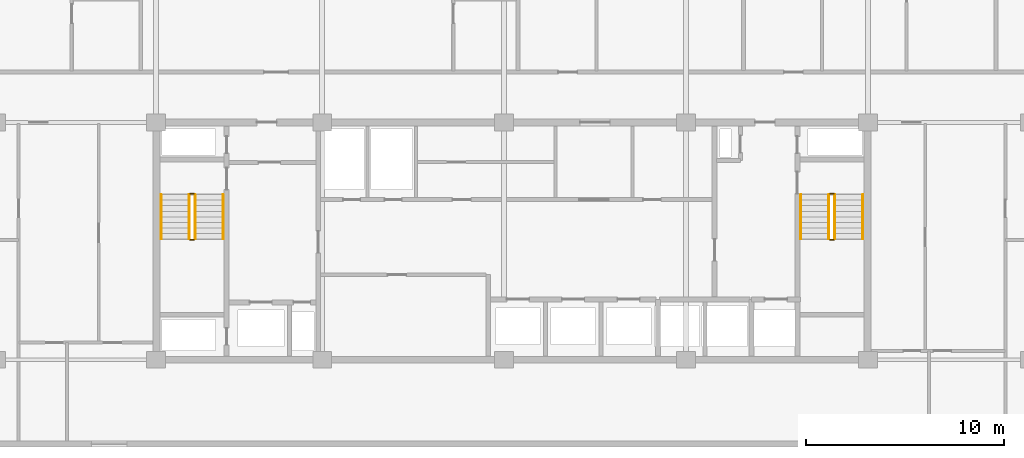
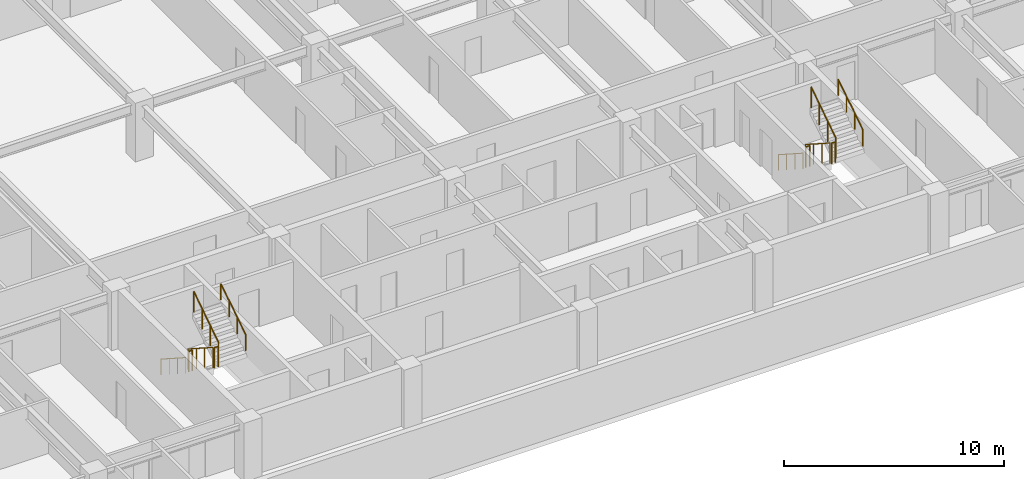
# One storey, part 20 of 21: 12 railings.
"""IFC4 building model written with IfcOpenShell, lengths in metres."""

from ifc_helpers import new_model, si_unit, direction, frame, origin, origin_2d, place, context, subcontext, project, spatial, circle, extrude, material, type_object, element, save


model = new_model("IFC4")

# Units and contexts
model_context = context("Model", 3, precision=1e-05, world=origin(), true_north=direction((0.0, 1.0)))
body_context = subcontext(model_context, "Body", "Model", "MODEL_VIEW")
ifc_project = project(units=[si_unit("LENGTHUNIT", "METRE"), si_unit("AREAUNIT", "SQUARE_METRE"), si_unit("VOLUMEUNIT", "CUBIC_METRE"), si_unit("PLANEANGLEUNIT", "RADIAN"), si_unit("MASSUNIT", "GRAM", prefix="KILO")], contexts=[model_context])

# Site, building, storey
site_placement = place(None, origin())
site = spatial("IfcSite", under=ifc_project, at=site_placement, CompositionType="ELEMENT")
building_placement = place(site_placement, origin())
building = spatial("IfcBuilding", under=site, at=building_placement, Name="Korimba Cascade Residences", CompositionType="ELEMENT")
storey_placement = place(building_placement, frame((0.0, 0.0, 113.300048828125)))
storey = spatial("IfcBuildingStorey", under=building, at=storey_placement, Name="L32", CompositionType="ELEMENT", Elevation=113.300048828125)

# Railings
ifc_material_1 = material(Name="Painted Steel Stairwell Guardrail", Category="steel")
railing_type_1 = type_object("IfcRailingType", Name="RLG-ST-GD1150", PredefinedType="GUARDRAIL", material=ifc_material_1)
railing_1_placement = place(storey_placement, frame((77.77001953125, 63.550048828125, 0.180419921875)))
element("IfcRailing", 1, at=railing_1_placement, inside=storey, type_object=railing_type_1, Name="L32 ST-W1 stair guard 1", PredefinedType="GUARDRAIL", context=body_context, shape_type="SweptSolid", body=[
    extrude(circle(Radius=0.02392578125, at=origin_2d()), frame((0.0, 0.0, 1.1259765625), z_axis=(0.0, -0.840394893359, 0.541974559565), x_axis=(1.0, 0.0, 0.0)), (0.0, 0.0, 1.0), 2.665283203125),
    extrude(circle(Radius=0.02099609375, at=origin_2d()), origin(), (0.0, 0.0, 1.0), 1.101806640625),
    extrude(circle(Radius=0.02099609375, at=origin_2d()), frame((0.0, -0.74658203125, 0.4814453125)), (0.0, 0.0, 1.0), 1.101806640625),
    extrude(circle(Radius=0.02099609375, at=origin_2d()), frame((0.0, -1.493408203125, 0.963134765625)), (0.0, 0.0, 1.0), 1.101806640625),
    extrude(circle(Radius=0.02099609375, at=origin_2d()), frame((0.0, -2.239990234375, 1.444580078125)), (0.0, 0.0, 1.0), 1.101806640625),
])
railing_2_placement = place(storey_placement, frame((77.820068359375, 61.260009765625, 1.625)))
element("IfcRailing", 2, at=railing_2_placement, inside=storey, type_object=railing_type_1, Name="L32 ST-W1 stair guard 2", PredefinedType="GUARDRAIL", context=body_context, shape_type="SweptSolid", body=[
    extrude(circle(Radius=0.02392578125, at=origin_2d()), frame((0.0, 0.0, 1.1259765625), z_axis=(1.0, 0.0, 0.0), x_axis=(0.0, 1.0, 0.0)), (0.0, 0.0, 1.0), 0.199951171875),
    extrude(circle(Radius=0.02099609375, at=origin_2d()), origin(), (0.0, 0.0, 1.0), 1.101806640625),
    extrude(circle(Radius=0.02099609375, at=origin_2d()), frame((0.199951171875, 0.0, 0.0)), (0.0, 0.0, 1.0), 1.101806640625),
])
railing_3_placement = place(storey_placement, frame((78.070068359375, 61.31005859375, 1.805419921875)))
element("IfcRailing", 3, at=railing_3_placement, inside=storey, type_object=railing_type_1, Name="L32 ST-W1 stair guard 3", PredefinedType="GUARDRAIL", context=body_context, shape_type="SweptSolid", body=[
    extrude(circle(Radius=0.02392578125, at=origin_2d()), frame((0.0, 0.0, 1.1259765625), z_axis=(0.0, 0.840394893359, 0.541974559565), x_axis=(-1.0, 0.0, 0.0)), (0.0, 0.0, 1.0), 2.665283203125),
    extrude(circle(Radius=0.02099609375, at=origin_2d()), origin(), (0.0, 0.0, 1.0), 1.101806640625),
    extrude(circle(Radius=0.02099609375, at=origin_2d()), frame((0.0, 0.74658203125, 0.4814453125)), (0.0, 0.0, 1.0), 1.101806640625),
    extrude(circle(Radius=0.02099609375, at=origin_2d()), frame((0.0, 1.493408203125, 0.963134765625)), (0.0, 0.0, 1.0), 1.101806640625),
    extrude(circle(Radius=0.02099609375, at=origin_2d()), frame((0.0, 2.239990234375, 1.444580078125)), (0.0, 0.0, 1.0), 1.101806640625),
])
railing_4_placement = place(storey_placement, frame((77.820068359375, 63.60009765625, 0.0)))
element("IfcRailing", 4, at=railing_4_placement, inside=storey, type_object=railing_type_1, Name="L32 ST-W1 stair guard 4", PredefinedType="GUARDRAIL", context=body_context, shape_type="SweptSolid", body=[
    extrude(circle(Radius=0.02392578125, at=origin_2d()), frame((0.0, 0.0, 1.1259765625), z_axis=(1.0, 0.0, 0.0), x_axis=(0.0, 1.0, 0.0)), (0.0, 0.0, 1.0), 0.199951171875),
    extrude(circle(Radius=0.02099609375, at=origin_2d()), origin(), (0.0, 0.0, 1.0), 1.101806640625),
    extrude(circle(Radius=0.02099609375, at=origin_2d()), frame((0.199951171875, 0.0, 0.0)), (0.0, 0.0, 1.0), 1.101806640625),
])
railing_5_placement = place(storey_placement, frame((110.1298828125, 63.550048828125, 0.180419921875)))
element("IfcRailing", 5, at=railing_5_placement, inside=storey, type_object=railing_type_1, Name="L32 ST-W2 stair guard 1", PredefinedType="GUARDRAIL", context=body_context, shape_type="SweptSolid", body=[
    extrude(circle(Radius=0.02392578125, at=origin_2d()), frame((0.0, 0.0, 1.1259765625), z_axis=(0.0, -0.840394893359, 0.541974559565), x_axis=(1.0, 0.0, 0.0)), (0.0, 0.0, 1.0), 2.665283203125),
    extrude(circle(Radius=0.02099609375, at=origin_2d()), origin(), (0.0, 0.0, 1.0), 1.101806640625),
    extrude(circle(Radius=0.02099609375, at=origin_2d()), frame((0.0, -0.74658203125, 0.4814453125)), (0.0, 0.0, 1.0), 1.101806640625),
    extrude(circle(Radius=0.02099609375, at=origin_2d()), frame((0.0, -1.493408203125, 0.963134765625)), (0.0, 0.0, 1.0), 1.101806640625),
    extrude(circle(Radius=0.02099609375, at=origin_2d()), frame((0.0, -2.239990234375, 1.444580078125)), (0.0, 0.0, 1.0), 1.101806640625),
])
railing_6_placement = place(storey_placement, frame((110.179931640625, 61.260009765625, 1.625)))
element("IfcRailing", 6, at=railing_6_placement, inside=storey, type_object=railing_type_1, Name="L32 ST-W2 stair guard 2", PredefinedType="GUARDRAIL", context=body_context, shape_type="SweptSolid", body=[
    extrude(circle(Radius=0.02392578125, at=origin_2d()), frame((0.0, 0.0, 1.1259765625), z_axis=(1.0, 0.0, 0.0), x_axis=(0.0, 1.0, 0.0)), (0.0, 0.0, 1.0), 0.199951171875),
    extrude(circle(Radius=0.02099609375, at=origin_2d()), origin(), (0.0, 0.0, 1.0), 1.101806640625),
    extrude(circle(Radius=0.02099609375, at=origin_2d()), frame((0.199951171875, 0.0, 0.0)), (0.0, 0.0, 1.0), 1.101806640625),
])
railing_7_placement = place(storey_placement, frame((110.429931640625, 61.31005859375, 1.805419921875)))
element("IfcRailing", 7, at=railing_7_placement, inside=storey, type_object=railing_type_1, Name="L32 ST-W2 stair guard 3", PredefinedType="GUARDRAIL", context=body_context, shape_type="SweptSolid", body=[
    extrude(circle(Radius=0.02392578125, at=origin_2d()), frame((0.0, 0.0, 1.1259765625), z_axis=(0.0, 0.840394893359, 0.541974559565), x_axis=(-1.0, 0.0, 0.0)), (0.0, 0.0, 1.0), 2.665283203125),
    extrude(circle(Radius=0.02099609375, at=origin_2d()), origin(), (0.0, 0.0, 1.0), 1.101806640625),
    extrude(circle(Radius=0.02099609375, at=origin_2d()), frame((0.0, 0.74658203125, 0.4814453125)), (0.0, 0.0, 1.0), 1.101806640625),
    extrude(circle(Radius=0.02099609375, at=origin_2d()), frame((0.0, 1.493408203125, 0.963134765625)), (0.0, 0.0, 1.0), 1.101806640625),
    extrude(circle(Radius=0.02099609375, at=origin_2d()), frame((0.0, 2.239990234375, 1.444580078125)), (0.0, 0.0, 1.0), 1.101806640625),
])
railing_8_placement = place(storey_placement, frame((110.179931640625, 63.60009765625, 0.0)))
element("IfcRailing", 8, at=railing_8_placement, inside=storey, type_object=railing_type_1, Name="L32 ST-W2 stair guard 4", PredefinedType="GUARDRAIL", context=body_context, shape_type="SweptSolid", body=[
    extrude(circle(Radius=0.02392578125, at=origin_2d()), frame((0.0, 0.0, 1.1259765625), z_axis=(1.0, 0.0, 0.0), x_axis=(0.0, 1.0, 0.0)), (0.0, 0.0, 1.0), 0.199951171875),
    extrude(circle(Radius=0.02099609375, at=origin_2d()), origin(), (0.0, 0.0, 1.0), 1.101806640625),
    extrude(circle(Radius=0.02099609375, at=origin_2d()), frame((0.199951171875, 0.0, 0.0)), (0.0, 0.0, 1.0), 1.101806640625),
])
ifc_material_2 = material(Name="Brushed Stainless Steel Handrail", Category="steel")
railing_type_2 = type_object("IfcRailingType", Name="RLG-ST-HR900", PredefinedType="HANDRAIL", material=ifc_material_2)
railing_9_placement = place(storey_placement, frame((76.35009765625, 63.550048828125, 0.364990234375)))
element("IfcRailing", 9, at=railing_9_placement, inside=storey, type_object=railing_type_2, Name="L32 ST-W1 stair handrail 1", PredefinedType="HANDRAIL", context=body_context, shape_type="SweptSolid", body=[
    extrude(circle(Radius=0.02392578125, at=origin_2d()), frame((0.0, 0.0, 0.8759765625), z_axis=(0.0, -0.840436612492, 0.541909863706), x_axis=(1.0, 0.0, 0.0)), (0.0, 0.0, 1.0), 2.665283203125),
    extrude(circle(Radius=0.02099609375, at=origin_2d()), origin(), (0.0, 0.0, 1.0), 0.851806640625),
    extrude(circle(Radius=0.02099609375, at=origin_2d()), frame((0.0, -0.74658203125, 0.4814453125)), (0.0, 0.0, 1.0), 0.851806640625),
    extrude(circle(Radius=0.02099609375, at=origin_2d()), frame((0.0, -1.493408203125, 0.962890625)), (0.0, 0.0, 1.0), 0.851806640625),
    extrude(circle(Radius=0.02099609375, at=origin_2d()), frame((0.0, -2.239990234375, 1.4443359375)), (0.0, 0.0, 1.0), 0.851806640625),
])
railing_10_placement = place(storey_placement, frame((79.489990234375, 61.31005859375, 1.989990234375)))
element("IfcRailing", 10, at=railing_10_placement, inside=storey, type_object=railing_type_2, Name="L32 ST-W1 stair handrail 2", PredefinedType="HANDRAIL", context=body_context, shape_type="SweptSolid", body=[
    extrude(circle(Radius=0.02392578125, at=origin_2d()), frame((0.0, 0.0, 0.8759765625), z_axis=(0.0, 0.840436612492, 0.541909863706), x_axis=(-1.0, 0.0, 0.0)), (0.0, 0.0, 1.0), 2.665283203125),
    extrude(circle(Radius=0.02099609375, at=origin_2d()), origin(), (0.0, 0.0, 1.0), 0.851806640625),
    extrude(circle(Radius=0.02099609375, at=origin_2d()), frame((0.0, 0.74658203125, 0.4814453125)), (0.0, 0.0, 1.0), 0.851806640625),
    extrude(circle(Radius=0.02099609375, at=origin_2d()), frame((0.0, 1.493408203125, 0.962890625)), (0.0, 0.0, 1.0), 0.851806640625),
    extrude(circle(Radius=0.02099609375, at=origin_2d()), frame((0.0, 2.239990234375, 1.4443359375)), (0.0, 0.0, 1.0), 0.851806640625),
])
railing_11_placement = place(storey_placement, frame((108.7099609375, 63.550048828125, 0.364990234375)))
element("IfcRailing", 11, at=railing_11_placement, inside=storey, type_object=railing_type_2, Name="L32 ST-W2 stair handrail 1", PredefinedType="HANDRAIL", context=body_context, shape_type="SweptSolid", body=[
    extrude(circle(Radius=0.02392578125, at=origin_2d()), frame((0.0, 0.0, 0.8759765625), z_axis=(0.0, -0.840436612492, 0.541909863706), x_axis=(1.0, 0.0, 0.0)), (0.0, 0.0, 1.0), 2.665283203125),
    extrude(circle(Radius=0.02099609375, at=origin_2d()), origin(), (0.0, 0.0, 1.0), 0.851806640625),
    extrude(circle(Radius=0.02099609375, at=origin_2d()), frame((0.0, -0.74658203125, 0.4814453125)), (0.0, 0.0, 1.0), 0.851806640625),
    extrude(circle(Radius=0.02099609375, at=origin_2d()), frame((0.0, -1.493408203125, 0.962890625)), (0.0, 0.0, 1.0), 0.851806640625),
    extrude(circle(Radius=0.02099609375, at=origin_2d()), frame((0.0, -2.239990234375, 1.4443359375)), (0.0, 0.0, 1.0), 0.851806640625),
])
railing_12_placement = place(storey_placement, frame((111.85009765625, 61.31005859375, 1.989990234375)))
element("IfcRailing", 12, at=railing_12_placement, inside=storey, type_object=railing_type_2, Name="L32 ST-W2 stair handrail 2", PredefinedType="HANDRAIL", context=body_context, shape_type="SweptSolid", body=[
    extrude(circle(Radius=0.02392578125, at=origin_2d()), frame((0.0, 0.0, 0.8759765625), z_axis=(0.0, 0.840436612492, 0.541909863706), x_axis=(-1.0, 0.0, 0.0)), (0.0, 0.0, 1.0), 2.665283203125),
    extrude(circle(Radius=0.02099609375, at=origin_2d()), origin(), (0.0, 0.0, 1.0), 0.851806640625),
    extrude(circle(Radius=0.02099609375, at=origin_2d()), frame((0.0, 0.74658203125, 0.4814453125)), (0.0, 0.0, 1.0), 0.851806640625),
    extrude(circle(Radius=0.02099609375, at=origin_2d()), frame((0.0, 1.493408203125, 0.962890625)), (0.0, 0.0, 1.0), 0.851806640625),
    extrude(circle(Radius=0.02099609375, at=origin_2d()), frame((0.0, 2.239990234375, 1.4443359375)), (0.0, 0.0, 1.0), 0.851806640625),
])

save(model, "model.ifc")
